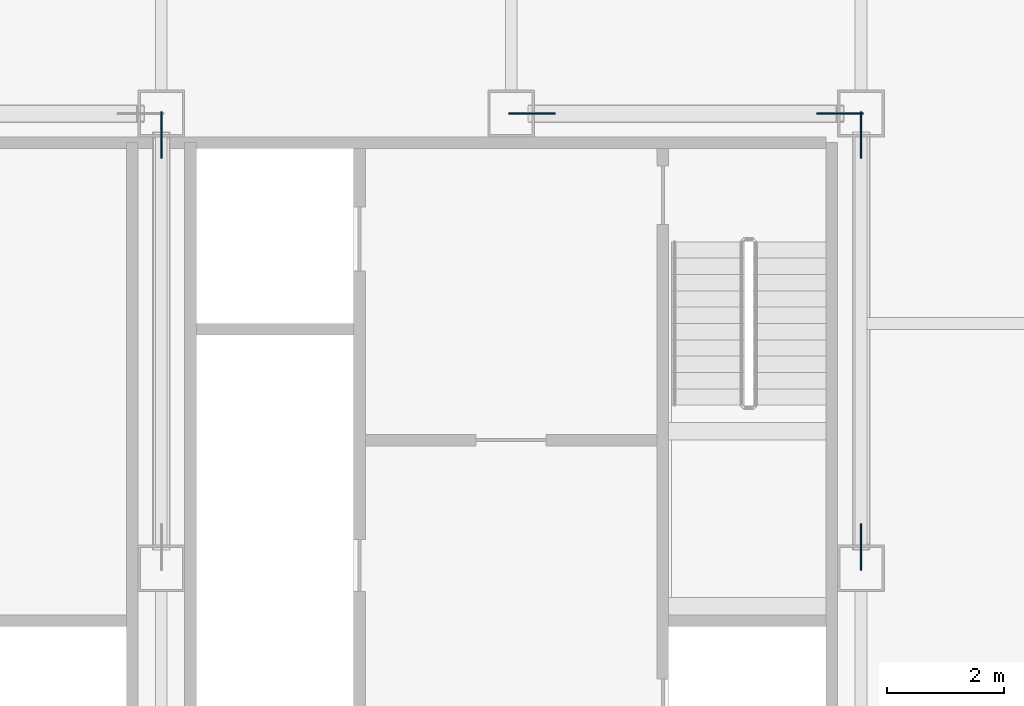
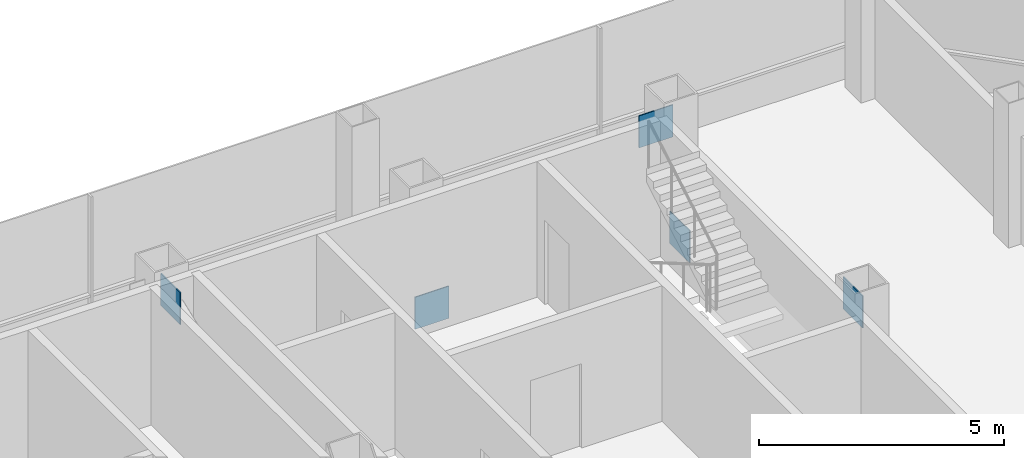
# One storey, part 25 of 27: 5 discrete accessories.
"""IFC4 building model written with IfcOpenShell, lengths in metres."""

from ifc_helpers import new_model, si_unit, direction, frame, origin, origin_2d, place, context, subcontext, project, spatial, rectangle, extrude, material, layer, layer_set, type_object, element, save


model = new_model("IFC4")

# Units and contexts
model_context = context("Model", 3, precision=1e-05, world=origin(), true_north=direction((0.0, 1.0)))
body_context = subcontext(model_context, "Body", "Model", "MODEL_VIEW")
ifc_project = project(units=[si_unit("LENGTHUNIT", "METRE"), si_unit("AREAUNIT", "SQUARE_METRE"), si_unit("VOLUMEUNIT", "CUBIC_METRE"), si_unit("PLANEANGLEUNIT", "RADIAN"), si_unit("MASSUNIT", "GRAM", prefix="KILO")], contexts=[model_context])

# Site, building, storey
site_placement = place(None, origin())
site = spatial("IfcSite", under=ifc_project, at=site_placement, CompositionType="ELEMENT")
building_placement = place(site_placement, origin())
building = spatial("IfcBuilding", under=site, at=building_placement, Name="Sorahane Residences", CompositionType="ELEMENT")
storey_placement = place(building_placement, frame((0.0, 0.0, 206.39990234375)))
storey = spatial("IfcBuildingStorey", under=building, at=storey_placement, Name="L48", CompositionType="ELEMENT", Elevation=206.39990234375)

# Discrete accessories
ifc_material = material(Name="Steel Q355B", Category="steel")
ifc_layer = layer(ifc_material, 0.02490234375)
ifc_layer_set = layer_set([ifc_layer], Name="Node plate Steel Q355B 25")
discrete_accessory_type = type_object("IfcDiscreteAccessoryType", Name="Node plate Steel Q355B 25", PredefinedType="BRACKET", material=ifc_layer_set)
for number, where, z_axis, x_axis, name in (
    (1, (30.0, 45.231689453125, 2.39208984375), (0.0, 0.0, 1.0), (0.0, 1.0, 0.0), "Node plate L48 br"),
    (2, (42.0, 45.231689453125, -0.26171875), (0.0, 0.0, 1.0), (0.0, 1.0, 0.0), "Node plate L48 br"),
    (3, (42.0, 38.168212890625, 2.39208984375), (0.0, 0.0, 1.0), (0.0, 1.0, 0.0), "Node plate L48 br"),
    (4, (36.359375, 45.60009765625, -0.2705078125), (0.0, 0.0, 1.0), (1.0, 0.0, 0.0), "Node plate L48 br"),
    (5, (41.640625, 45.60009765625, 2.400390625), (0.0, 0.0, 1.0), (1.0, 0.0, 0.0), "Node plate L48 br"),
):
    element("IfcDiscreteAccessory", number, at=place(storey_placement, frame(where, z_axis=z_axis, x_axis=x_axis)), inside=storey, type_object=discrete_accessory_type, Name=name, PredefinedType="BRACKET", context=body_context, shape_type="SweptSolid", body=[
        extrude(rectangle(XDim=0.800048828125, YDim=0.02490234375, at=origin_2d()), origin(), (0.0, 0.0, 1.0), 0.800048828125),
    ])

save(model, "model.ifc")
